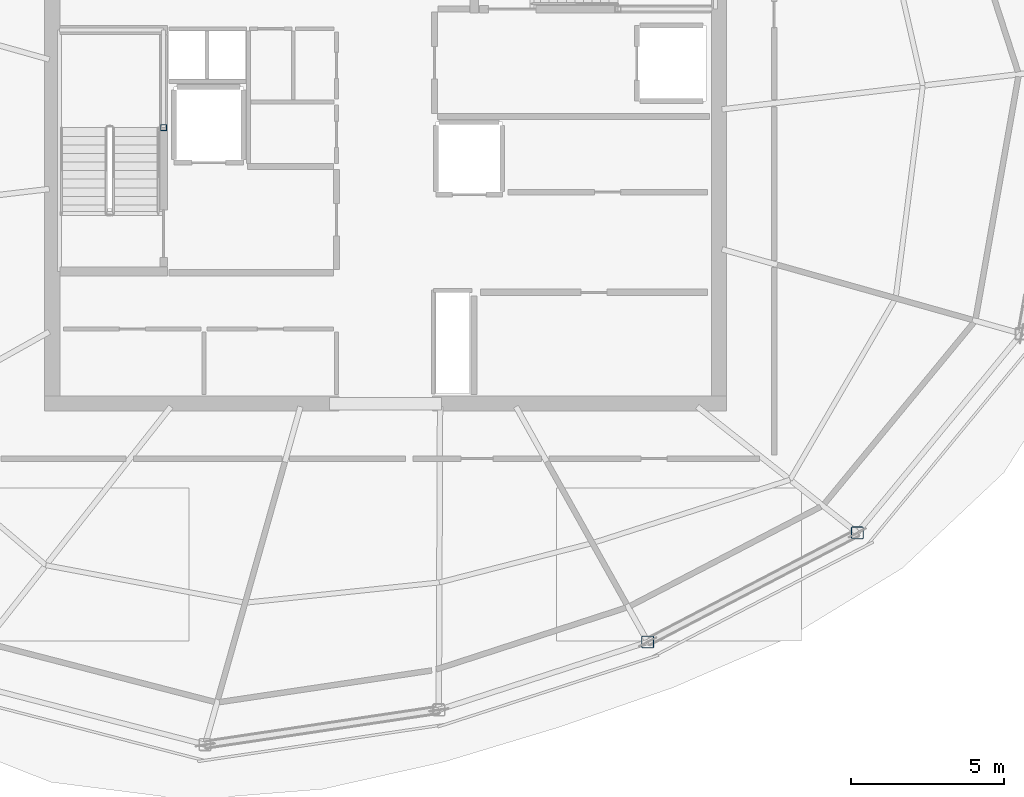
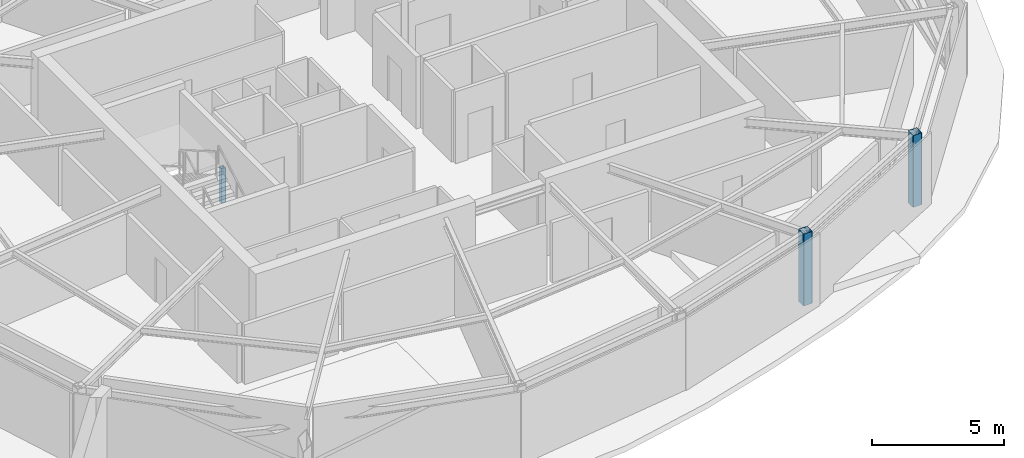
# One storey, part 2 of 10: 3 columns.
"""IFC4 building model written with IfcOpenShell, lengths in metres."""

from ifc_helpers import new_model, si_unit, direction, frame, origin, origin_2d, place, context, subcontext, project, spatial, hollow_rectangle, extrude, material, material_profile, profile_set, type_object, element, save


model = new_model("IFC4")

# Units and contexts
model_context = context("Model", 3, precision=1e-05, world=origin(), true_north=direction((0.0, 1.0)))
body_context = subcontext(model_context, "Body", "Model", "MODEL_VIEW")
ifc_project = project(units=[si_unit("LENGTHUNIT", "METRE"), si_unit("AREAUNIT", "SQUARE_METRE"), si_unit("VOLUMEUNIT", "CUBIC_METRE"), si_unit("PLANEANGLEUNIT", "RADIAN"), si_unit("MASSUNIT", "GRAM", prefix="KILO")], contexts=[model_context])

# Site, building, storey
site_placement = place(None, origin())
site = spatial("IfcSite", under=ifc_project, at=site_placement, CompositionType="ELEMENT")
building_placement = place(site_placement, origin())
building = spatial("IfcBuilding", under=site, at=building_placement, Name="Kazma Halo Residences", CompositionType="ELEMENT")
storey_placement = place(building_placement, frame((0.0, 0.0, 370.39990234375)))
storey = spatial("IfcBuildingStorey", under=building, at=storey_placement, Name="L93", CompositionType="ELEMENT", Elevation=370.39990234375)

# Columns
ifc_material = material(Name="Steel S355", Category="steel")
ifc_material_profile_1 = material_profile(ifc_material, hollow_rectangle(XDim=0.39990234375, YDim=0.39990234375, WallThickness=0.02001953125, InnerFilletRadius=0.02001953125, OuterFilletRadius=0.0400390625, at=origin_2d()), Name="SHS400x400x20")
ifc_profile_set_1 = profile_set([ifc_material_profile_1], Name="Steel S355")
column_type_1 = type_object("IfcColumnType", Name="COL-CROWN-SHS400", PredefinedType="COLUMN", material=ifc_profile_set_1)
for number, where, z_axis, x_axis, name in (
    (1, (56.9765625, 25.97119140625, 0.0), (0.0, 0.0, 1.0), (1.0, 0.0, 0.0), "L93 CROWN FRAME perimeter column P13"),
    (2, (63.815185546875, 29.532470703125, 0.0), (0.0, 0.0, 1.0), (1.0, 0.0, 0.0), "L93 CROWN FRAME perimeter column P14"),
):
    element("IfcColumn", number, at=place(storey_placement, frame(where, z_axis=z_axis, x_axis=x_axis)), inside=storey, type_object=column_type_1, Name=name, PredefinedType="COLUMN", context=body_context, shape_type="SweptSolid", body=[
        extrude(hollow_rectangle(XDim=0.39990234375, YDim=0.39990234375, WallThickness=0.02001953125, InnerFilletRadius=0.02001953125, OuterFilletRadius=0.0400390625, at=origin_2d()), origin(), (0.0, 0.0, 1.0), 3.320068359375),
    ])
ifc_material_profile_2 = material_profile(ifc_material, hollow_rectangle(XDim=0.199951171875, YDim=0.199951171875, WallThickness=0.010009765625, InnerFilletRadius=0.010009765625, OuterFilletRadius=0.02001953125, at=origin_2d()), Name="SHS200x200x10")
ifc_profile_set_2 = profile_set([ifc_material_profile_2], Name="Steel S355")
column_type_2 = type_object("IfcColumnType", Name="COL-LP-SHS200", PredefinedType="COLUMN", material=ifc_profile_set_2)
column_placement = place(storey_placement, frame((41.179931640625, 42.75, 0.0), z_axis=(0.0, 0.0, 1.0), x_axis=(1.0, 0.0, 0.0)))
element("IfcColumn", 3, at=column_placement, inside=storey, type_object=column_type_2, Name="L93 ST-01 landing pilaster 1", PredefinedType="COLUMN", context=body_context, shape_type="SweptSolid", body=[
    extrude(hollow_rectangle(XDim=0.199951171875, YDim=0.199951171875, WallThickness=0.010009765625, InnerFilletRadius=0.010009765625, OuterFilletRadius=0.02001953125, at=origin_2d()), origin(), (0.0, 0.0, 1.0), 1.59521484375),
])

save(model, "model.ifc")
